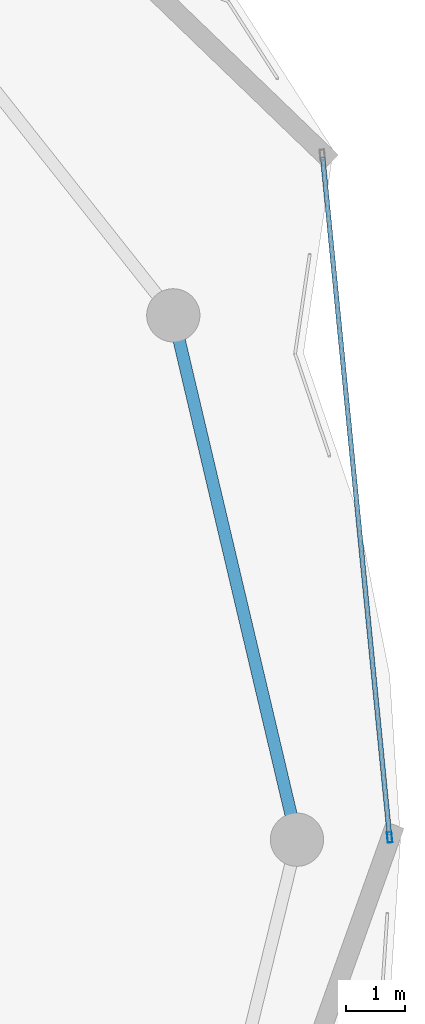
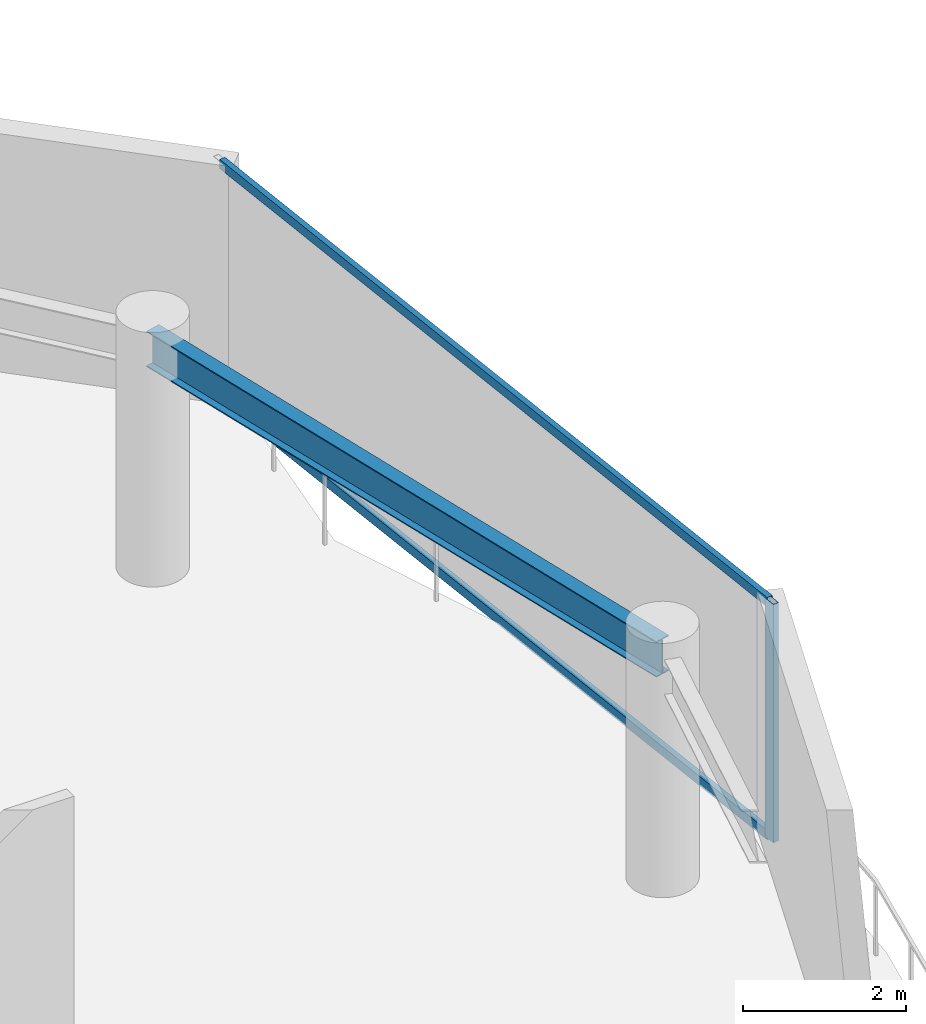
# One storey, part 16 of 29: 3 members, 1 beam, 1 element without a shape of its own.
"""IFC4 building model written with IfcOpenShell, lengths in metres."""

from ifc_helpers import new_model, si_unit, direction, frame, origin, origin_2d, place, context, subcontext, project, spatial, hollow_rectangle, i_section, extrude, material, layer, layer_set, material_profile, profile_set, type_object, element, aggregate, save


model = new_model("IFC4")

# Units and contexts
model_context = context("Model", 3, precision=1e-05, world=origin(), true_north=direction((0.0, 1.0)))
body_context = subcontext(model_context, "Body", "Model", "MODEL_VIEW")
ifc_project = project(units=[si_unit("LENGTHUNIT", "METRE"), si_unit("AREAUNIT", "SQUARE_METRE"), si_unit("VOLUMEUNIT", "CUBIC_METRE"), si_unit("PLANEANGLEUNIT", "RADIAN"), si_unit("MASSUNIT", "GRAM", prefix="KILO")], contexts=[model_context])

# Site, building, storey
site_placement = place(None, origin())
site = spatial("IfcSite", under=ifc_project, at=site_placement, CompositionType="ELEMENT")
building_placement = place(site_placement, origin())
building = spatial("IfcBuilding", under=site, at=building_placement, Name="Kazevale Care Tower and Concert Hall", CompositionType="ELEMENT")
storey_placement = place(building_placement, frame((0.0, 0.0, 262.39990234375)))
storey = spatial("IfcBuildingStorey", under=building, at=storey_placement, Name="L69", CompositionType="ELEMENT", Elevation=262.39990234375)

# Curtain wall, members
ifc_material_1 = material(Name="Aluminium 6063-T6 and Low-E Glass", Category="aluminium")
ifc_layer = layer(ifc_material_1, 0.179931640625)
ifc_layer_set = layer_set([ifc_layer], Name="Aluminium 6063-T6 and Low-E Glass")
curtain_wall_type = type_object("IfcCurtainWallType", Name="Waist & Upper Residential Curtain Wall CW-4", PredefinedType="NOTDEFINED", material=ifc_layer_set)
curtain_wall_placement = place(storey_placement, origin())
curtain_wall = element("IfcCurtainWall", 1, at=curtain_wall_placement, inside=storey, type_object=curtain_wall_type, Name="cw:L69:f18", PredefinedType="NOTDEFINED")
ifc_material_2 = material(Name="Aluminium 6063-T6", Category="aluminium")
ifc_material_profile_1 = material_profile(ifc_material_2, hollow_rectangle(XDim=0.080078125, YDim=0.179931640625, WallThickness=0.0048828125, at=origin_2d()), Name="ALU80x180x5")
ifc_profile_set_1 = profile_set([ifc_material_profile_1], Name="Aluminium 6063-T6")
member_type_1 = type_object("IfcMemberType", Name="CW-4 Mullion ALU80x180x5", PredefinedType="MULLION", material=ifc_profile_set_1)
member_1_placement = place(storey_placement, frame((74.01611328125, 38.039794921875, 0.0), z_axis=(0.0, 0.0, 1.0), x_axis=(0.995187959773, 0.097984308555, 0.0)))
member_1 = element("IfcMember", 2, at=member_1_placement, type_object=member_type_1, Name="CW-4 mullion 2", PredefinedType="MULLION", context=body_context, shape_type="SweptSolid", body=[
    extrude(hollow_rectangle(XDim=0.080078125, YDim=0.179931640625, WallThickness=0.0048828125, at=origin_2d()), origin(), (0.0, 0.0, 1.0), 3.56005859375),
])
ifc_material_profile_2 = material_profile(ifc_material_2, hollow_rectangle(XDim=0.080078125, YDim=0.139892578125, WallThickness=0.00390625, at=origin_2d()), Name="ALU80x140x4")
ifc_profile_set_2 = profile_set([ifc_material_profile_2], Name="Aluminium 6063-T6")
member_type_2 = type_object("IfcMemberType", Name="CW-4 Transom ALU80x140x4", PredefinedType="USERDEFINED", material=ifc_profile_set_2)
member_2_placement = place(storey_placement, frame((72.884765625, 49.529296875, 0.0400390625), z_axis=(0.097995076591, -0.995186899514, 0.0), x_axis=(0.995186899514, 0.097995076591, 0.0)))
member_2 = element("IfcMember", 3, at=member_2_placement, type_object=member_type_2, Name="CW-4 transom 1.1", ObjectType="TRANSOM", PredefinedType="USERDEFINED", context=body_context, shape_type="SweptSolid", body=[
    extrude(hollow_rectangle(XDim=0.080078125, YDim=0.139892578125, WallThickness=0.00390625, at=origin_2d()), origin(), (0.0, 0.0, 1.0), 11.505126953125),
])
member_3_placement = place(storey_placement, frame((72.884765625, 49.529296875, 3.52001953125), z_axis=(0.097995076591, -0.995186899514, 0.0), x_axis=(0.995186899514, 0.097995076591, 0.0)))
member_3 = element("IfcMember", 4, at=member_3_placement, type_object=member_type_2, Name="CW-4 transom 1.2", ObjectType="TRANSOM", PredefinedType="USERDEFINED", context=body_context, shape_type="SweptSolid", body=[
    extrude(hollow_rectangle(XDim=0.080078125, YDim=0.139892578125, WallThickness=0.00390625, at=origin_2d()), origin(), (0.0, 0.0, 1.0), 11.505126953125),
])
aggregate(curtain_wall, [member_1, member_2, member_3])

# Beam
ifc_material_3 = material(Name="Steel ASTM A572 Gr 50", Category="steel")
ifc_material_profile_3 = material_profile(ifc_material_3, i_section(OverallWidth=0.208984375, OverallDepth=0.532958984375, WebThickness=0.01025390625, FlangeThickness=0.015625, at=origin_2d()), Name="W530x92")
ifc_profile_set_3 = profile_set([ifc_material_profile_3], Name="Steel ASTM A572 Gr 50")
beam_type = type_object("IfcBeamType", Name="Upper Ring Beam W530x92", PredefinedType="BEAM", material=ifc_profile_set_3)
beam_placement = place(storey_placement, frame((72.449951171875, 38.0, 3.293701171875), z_axis=(-0.229571460706, 0.973291808467, 0.0), x_axis=(-0.973291808467, -0.229571460706, 0.0)))
element("IfcBeam", 5, at=beam_placement, inside=storey, type_object=beam_type, Name="beam:L69:ring:01", PredefinedType="BEAM", context=body_context, shape_type="SweptSolid", body=[
    extrude(i_section(OverallWidth=0.208984375, OverallDepth=0.532958984375, WebThickness=0.01025390625, FlangeThickness=0.015625, at=origin_2d()), origin(), (0.0, 0.0, 1.0), 9.103271484375),
])

save(model, "model.ifc")
